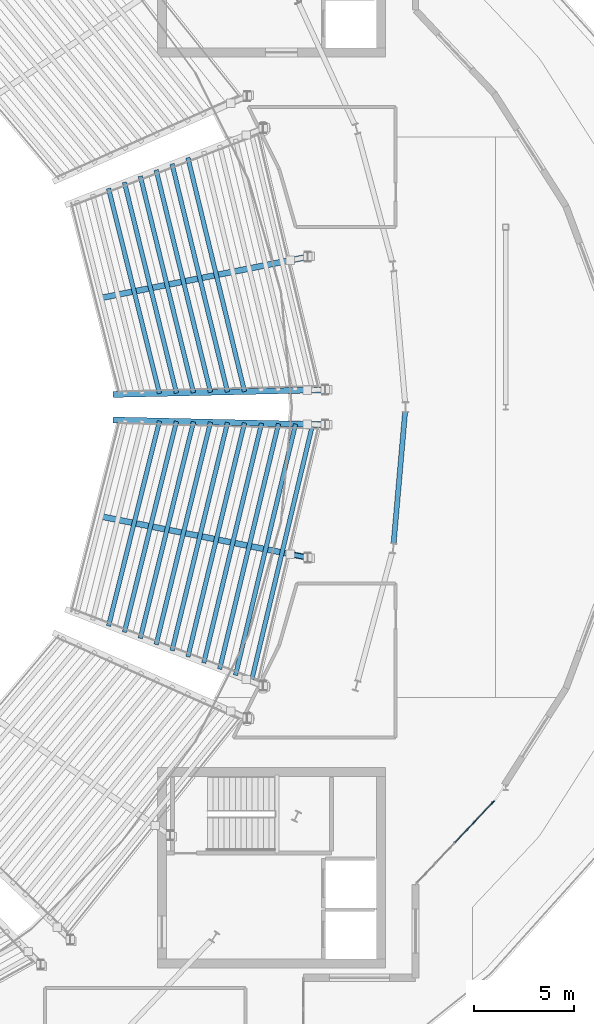
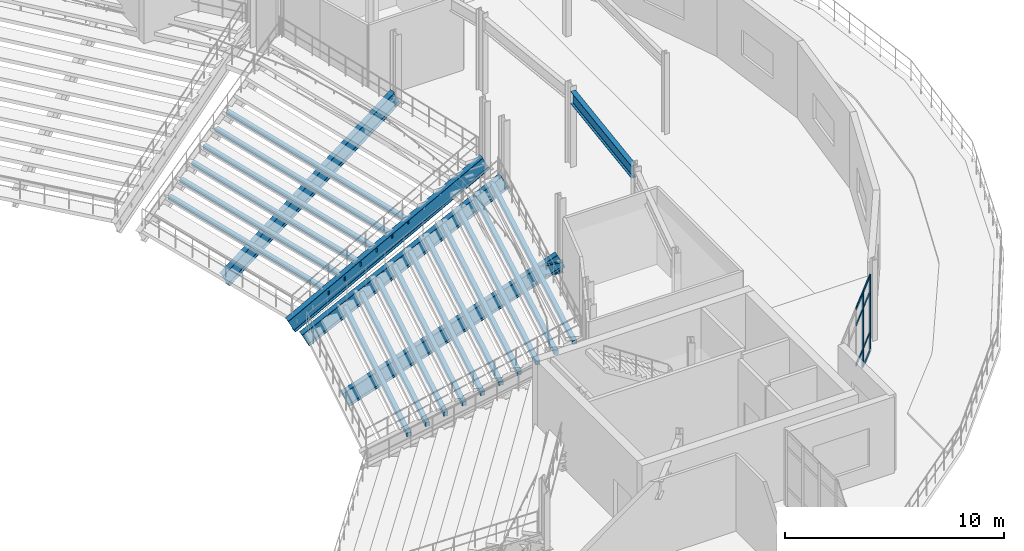
# One storey, part 41 of 81: 22 beams, 9 members, 1 element without a shape of its own.
"""IFC4 building model written with IfcOpenShell, lengths in metres."""

from ifc_helpers import new_model, si_unit, direction, frame, origin, origin_2d, place, context, subcontext, project, spatial, rectangle, i_section, extrude, material, material_profile, profile_set, type_object, element, aggregate, save


model = new_model("IFC4")

# Units and contexts
model_context = context("Model", 3, precision=1e-05, world=origin(), true_north=direction((0.0, 1.0)))
body_context = subcontext(model_context, "Body", "Model", "MODEL_VIEW")
ifc_project = project(units=[si_unit("LENGTHUNIT", "METRE"), si_unit("AREAUNIT", "SQUARE_METRE"), si_unit("VOLUMEUNIT", "CUBIC_METRE"), si_unit("PLANEANGLEUNIT", "RADIAN"), si_unit("MASSUNIT", "GRAM", prefix="KILO")], contexts=[model_context])

# Site, building, storey
site_placement = place(None, origin())
site = spatial("IfcSite", under=ifc_project, at=site_placement, CompositionType="ELEMENT")
building_placement = place(site_placement, origin())
building = spatial("IfcBuilding", under=site, at=building_placement, Name="Glasvene Arena", CompositionType="ELEMENT")
storey_placement = place(building_placement, frame((0.0, 0.0, 15.0)))
storey = spatial("IfcBuildingStorey", under=building, at=storey_placement, Name="L03", CompositionType="ELEMENT", Elevation=15.0)

# Beams
ifc_material_1 = material(Name="Steel S355J2", Category="steel")
ifc_material_profile_1 = material_profile(ifc_material_1, i_section(OverallWidth=0.228271484375, OverallDepth=0.607666015625, WebThickness=0.010986328125, FlangeThickness=0.017333984375, FilletRadius=0.0126953125, at=origin_2d()), Name="UKB 610x229x113")
ifc_profile_set_1 = profile_set([ifc_material_profile_1], Name="Steel S355J2")
beam_type_1 = type_object("IfcBeamType", Name="BM-GIRD-610", PredefinedType="BEAM", material=ifc_profile_set_1)
beam_1_placement = place(storey_placement, frame((136.2333984375, 65.66455078125, 0.544921875), z_axis=(0.980791823058, -0.195057426987, 0.0), x_axis=(0.195057426987, 0.980791823058, 0.0)))
element("IfcBeam", 1, at=beam_1_placement, inside=storey, type_object=beam_type_1, Name="Upper raker rear seat haunch girder RKS-16-2", PredefinedType="BEAM", context=body_context, shape_type="SweptSolid", body=[
    extrude(i_section(OverallWidth=0.228271484375, OverallDepth=0.607666015625, WebThickness=0.010986328125, FlangeThickness=0.017333984375, FilletRadius=0.0126953125, at=origin_2d()), origin(), (0.0, 0.0, 1.0), 1.02001953125),
])
ifc_material_profile_2 = material_profile(ifc_material_1, i_section(OverallWidth=0.253662109375, OverallDepth=0.68359375, WebThickness=0.012451171875, FlangeThickness=0.01904296875, FilletRadius=0.01513671875, at=origin_2d()), Name="UKB 686x254x140")
ifc_profile_set_2 = profile_set([ifc_material_profile_2], Name="Steel S355J2")
beam_type_2 = type_object("IfcBeamType", Name="BM-GIRD-686", PredefinedType="BEAM", material=ifc_profile_set_2)
beam_2_placement = place(storey_placement, frame((141.4052734375, 66.199462890625, 3.908203125), z_axis=(0.087106255104, 0.996199026461, 0.0), x_axis=(-0.996199026461, 0.087106255104, 0.0)))
element("IfcBeam", 2, at=beam_2_placement, inside=storey, type_object=beam_type_2, Name="Bowl ring chord beam L03-40", PredefinedType="BEAM", context=body_context, shape_type="SweptSolid", body=[
    extrude(i_section(OverallWidth=0.253662109375, OverallDepth=0.68359375, WebThickness=0.012451171875, FlangeThickness=0.01904296875, FilletRadius=0.01513671875, at=origin_2d()), origin(), (0.0, 0.0, 1.0), 6.586669921875),
])
ifc_material_profile_3 = material_profile(ifc_material_1, i_section(OverallWidth=0.29248046875, OverallDepth=0.8408203125, WebThickness=0.0146484375, FlangeThickness=0.021728515625, FilletRadius=0.017822265625, at=origin_2d()), Name="UKB 838x292x194")
ifc_profile_set_3 = profile_set([ifc_material_profile_3], Name="Steel S355J2")
beam_type_3 = type_object("IfcBeamType", Name="Upper bowl raker", PredefinedType="USERDEFINED", material=ifc_profile_set_3)
beam_3_placement = place(storey_placement, frame((127.5908203125, 73.637451171875, -4.320068359375), z_axis=(0.889703726308, 0.020201547463, 0.456091193593), x_axis=(-0.022700075691, 0.999742320082, 0.0)))
element("IfcBeam", 3, at=beam_3_placement, inside=storey, type_object=beam_type_3, Name="Upper bowl cantilevered raker beam RKU-01-1", ObjectType="RAKER BEAM", PredefinedType="USERDEFINED", context=body_context, shape_type="SweptSolid", body=[
    extrude(i_section(OverallWidth=0.29248046875, OverallDepth=0.8408203125, WebThickness=0.0146484375, FlangeThickness=0.021728515625, FilletRadius=0.017822265625, at=origin_2d()), origin(), (0.0, 0.0, 1.0), 11.6865234375),
])
for number, where, z_axis, x_axis, name in (
    (4, (126.916015625, 78.48193359375, -4.47998046875), (0.86941665754, 0.172946908588, 0.462821825762), (-0.19510028701, 0.98078329819, 0.0), "Upper bowl cantilevered raker beam RKU-01-2"),
    (5, (126.916015625, 67.51806640625, -4.47998046875), (0.86941665754, -0.172946908588, 0.462821825762), (0.19510028701, 0.98078329819, 0.0), "Upper bowl cantilevered raker beam RKU-16-2"),
):
    element("IfcBeam", number, at=place(storey_placement, frame(where, z_axis=z_axis, x_axis=x_axis)), inside=storey, type_object=beam_type_3, Name=name, ObjectType="RAKER BEAM", PredefinedType="USERDEFINED", context=body_context, shape_type="SweptSolid", body=[
        extrude(i_section(OverallWidth=0.29248046875, OverallDepth=0.8408203125, WebThickness=0.0146484375, FlangeThickness=0.021728515625, FilletRadius=0.017822265625, at=origin_2d()), origin(), (0.0, 0.0, 1.0), 11.732177734375),
    ])
beam_4_placement = place(storey_placement, frame((127.5908203125, 72.362548828125, -4.320068359375), z_axis=(0.889703726308, -0.020201547463, 0.456091193593), x_axis=(0.022700075691, 0.999742320082, 0.0)))
element("IfcBeam", 6, at=beam_4_placement, inside=storey, type_object=beam_type_3, Name="Upper bowl cantilevered raker beam RKU-16-3", ObjectType="RAKER BEAM", PredefinedType="USERDEFINED", context=body_context, shape_type="SweptSolid", body=[
    extrude(i_section(OverallWidth=0.29248046875, OverallDepth=0.8408203125, WebThickness=0.0146484375, FlangeThickness=0.021728515625, FilletRadius=0.017822265625, at=origin_2d()), origin(), (0.0, 0.0, 1.0), 11.6865234375),
])
ifc_material_2 = material(Name="Precast concrete C50/60", Category="concrete")
ifc_material_profile_4 = material_profile(ifc_material_2, rectangle(XDim=0.219970703125, YDim=0.219970703125, at=origin_2d()), Name="RC 220x220")
ifc_profile_set_4 = profile_set([ifc_material_profile_4], Name="Precast concrete C50/60")
beam_type_4 = type_object("IfcBeamType", Name="BM-TIER-BEARER", PredefinedType="BEAM", material=ifc_profile_set_4)
beam_5_placement = place(storey_placement, frame((129.710205078125, 73.685546875, -3.2548828125), z_axis=(-0.240956794223, 0.970535843397, 0.0), x_axis=(-0.970535843397, -0.240956794223, 0.0)))
element("IfcBeam", 7, at=beam_5_placement, inside=storey, type_object=beam_type_4, Name="Upper tier precast row bearer 01-R03", PredefinedType="BEAM", context=body_context, shape_type="SweptSolid", body=[
    extrude(rectangle(XDim=0.219970703125, YDim=0.219970703125, at=origin_2d()), origin(), (0.0, 0.0, 1.0), 10.5537109375),
])
beam_6_placement = place(storey_placement, frame((130.56005859375, 73.704833984375, -2.77490234375), z_axis=(-0.239727787555, 0.970840145376, 0.0), x_axis=(-0.970840145376, -0.239727787555, 0.0)))
element("IfcBeam", 8, at=beam_6_placement, inside=storey, type_object=beam_type_4, Name="Upper tier precast row bearer 01-R04", PredefinedType="BEAM", context=body_context, shape_type="SweptSolid", body=[
    extrude(rectangle(XDim=0.219970703125, YDim=0.219970703125, at=origin_2d()), origin(), (0.0, 0.0, 1.0), 10.84716796875),
])
beam_7_placement = place(storey_placement, frame((131.409912109375, 73.72412109375, -2.294921875), z_axis=(-0.238558093097, 0.971128228515, 0.0), x_axis=(-0.971128228515, -0.238558093097, 0.0)))
element("IfcBeam", 9, at=beam_7_placement, inside=storey, type_object=beam_type_4, Name="Upper tier precast row bearer 01-R05", PredefinedType="BEAM", context=body_context, shape_type="SweptSolid", body=[
    extrude(rectangle(XDim=0.219970703125, YDim=0.219970703125, at=origin_2d()), origin(), (0.0, 0.0, 1.0), 11.140625),
])
beam_8_placement = place(storey_placement, frame((132.259521484375, 73.743408203125, -1.81494140625), z_axis=(-0.237437867214, 0.971402727612, 0.0), x_axis=(-0.971402727612, -0.237437867214, 0.0)))
element("IfcBeam", 10, at=beam_8_placement, inside=storey, type_object=beam_type_4, Name="Upper tier precast row bearer 01-R06", PredefinedType="BEAM", context=body_context, shape_type="SweptSolid", body=[
    extrude(rectangle(XDim=0.219970703125, YDim=0.219970703125, at=origin_2d()), origin(), (0.0, 0.0, 1.0), 11.433837890625),
])
beam_9_placement = place(storey_placement, frame((133.109375, 73.7626953125, -1.3349609375), z_axis=(-0.236388232992, 0.97165868663, 0.0), x_axis=(-0.97165868663, -0.236388232992, 0.0)))
element("IfcBeam", 11, at=beam_9_placement, inside=storey, type_object=beam_type_4, Name="Upper tier precast row bearer 01-R07", PredefinedType="BEAM", context=body_context, shape_type="SweptSolid", body=[
    extrude(rectangle(XDim=0.219970703125, YDim=0.219970703125, at=origin_2d()), origin(), (0.0, 0.0, 1.0), 11.727294921875),
])
beam_10_placement = place(storey_placement, frame((133.959228515625, 73.781982421875, -0.85498046875), z_axis=(-0.235389595247, 0.971901094993, 0.0), x_axis=(-0.971901094993, -0.235389595247, 0.0)))
element("IfcBeam", 12, at=beam_10_placement, inside=storey, type_object=beam_type_4, Name="Upper tier precast row bearer 01-R08", PredefinedType="BEAM", context=body_context, shape_type="SweptSolid", body=[
    extrude(rectangle(XDim=0.219970703125, YDim=0.219970703125, at=origin_2d()), origin(), (0.0, 0.0, 1.0), 12.02099609375),
])
beam_11_placement = place(storey_placement, frame((127.167236328125, 62.07177734375, -3.2548828125), z_axis=(0.240956794223, 0.970535843397, 0.0), x_axis=(-0.970535843397, 0.240956794223, 0.0)))
element("IfcBeam", 13, at=beam_11_placement, inside=storey, type_object=beam_type_4, Name="Upper tier precast row bearer 16-R03", PredefinedType="BEAM", context=body_context, shape_type="SweptSolid", body=[
    extrude(rectangle(XDim=0.219970703125, YDim=0.219970703125, at=origin_2d()), origin(), (0.0, 0.0, 1.0), 10.5537109375),
])
beam_12_placement = place(storey_placement, frame((127.959716796875, 61.764404296875, -2.77490234375), z_axis=(0.239727787555, 0.970840145376, 0.0), x_axis=(-0.970840145376, 0.239727787555, 0.0)))
element("IfcBeam", 14, at=beam_12_placement, inside=storey, type_object=beam_type_4, Name="Upper tier precast row bearer 16-R04", PredefinedType="BEAM", context=body_context, shape_type="SweptSolid", body=[
    extrude(rectangle(XDim=0.219970703125, YDim=0.219970703125, at=origin_2d()), origin(), (0.0, 0.0, 1.0), 10.84716796875),
])
beam_13_placement = place(storey_placement, frame((128.752197265625, 61.456787109375, -2.294921875), z_axis=(0.238558093097, 0.971128228515, 0.0), x_axis=(-0.971128228515, 0.238558093097, 0.0)))
element("IfcBeam", 15, at=beam_13_placement, inside=storey, type_object=beam_type_4, Name="Upper tier precast row bearer 16-R05", PredefinedType="BEAM", context=body_context, shape_type="SweptSolid", body=[
    extrude(rectangle(XDim=0.219970703125, YDim=0.219970703125, at=origin_2d()), origin(), (0.0, 0.0, 1.0), 11.140625),
])
beam_14_placement = place(storey_placement, frame((129.544677734375, 61.149658203125, -1.81494140625), z_axis=(0.237437867214, 0.971402727612, 0.0), x_axis=(-0.971402727612, 0.237437867214, 0.0)))
element("IfcBeam", 16, at=beam_14_placement, inside=storey, type_object=beam_type_4, Name="Upper tier precast row bearer 16-R06", PredefinedType="BEAM", context=body_context, shape_type="SweptSolid", body=[
    extrude(rectangle(XDim=0.219970703125, YDim=0.219970703125, at=origin_2d()), origin(), (0.0, 0.0, 1.0), 11.433837890625),
])
beam_15_placement = place(storey_placement, frame((130.337158203125, 60.84228515625, -1.3349609375), z_axis=(0.236388232992, 0.97165868663, 0.0), x_axis=(-0.97165868663, 0.236388232992, 0.0)))
element("IfcBeam", 17, at=beam_15_placement, inside=storey, type_object=beam_type_4, Name="Upper tier precast row bearer 16-R07", PredefinedType="BEAM", context=body_context, shape_type="SweptSolid", body=[
    extrude(rectangle(XDim=0.219970703125, YDim=0.219970703125, at=origin_2d()), origin(), (0.0, 0.0, 1.0), 11.727294921875),
])
beam_16_placement = place(storey_placement, frame((131.129638671875, 60.534912109375, -0.85498046875), z_axis=(0.235389595247, 0.971901094993, 0.0), x_axis=(-0.971901094993, 0.235389595247, 0.0)))
element("IfcBeam", 18, at=beam_16_placement, inside=storey, type_object=beam_type_4, Name="Upper tier precast row bearer 16-R08", PredefinedType="BEAM", context=body_context, shape_type="SweptSolid", body=[
    extrude(rectangle(XDim=0.219970703125, YDim=0.219970703125, at=origin_2d()), origin(), (0.0, 0.0, 1.0), 12.02099609375),
])
beam_17_placement = place(storey_placement, frame((131.922119140625, 60.227294921875, -0.375), z_axis=(0.234433810383, 0.972132083901, 0.0), x_axis=(-0.972132083901, 0.234433810383, 0.0)))
element("IfcBeam", 19, at=beam_17_placement, inside=storey, type_object=beam_type_4, Name="Upper tier precast row bearer 16-R09", PredefinedType="BEAM", context=body_context, shape_type="SweptSolid", body=[
    extrude(rectangle(XDim=0.219970703125, YDim=0.219970703125, at=origin_2d()), origin(), (0.0, 0.0, 1.0), 12.314697265625),
])
beam_18_placement = place(storey_placement, frame((132.714599609375, 59.919921875, 0.10498046875), z_axis=(0.233508438438, 0.972354775367, 0.0), x_axis=(-0.972354775367, 0.233508438438, 0.0)))
element("IfcBeam", 20, at=beam_18_placement, inside=storey, type_object=beam_type_4, Name="Upper tier precast row bearer 16-R10", PredefinedType="BEAM", context=body_context, shape_type="SweptSolid", body=[
    extrude(rectangle(XDim=0.219970703125, YDim=0.219970703125, at=origin_2d()), origin(), (0.0, 0.0, 1.0), 12.608154296875),
])
beam_19_placement = place(storey_placement, frame((133.507080078125, 59.61279296875, 0.5849609375), z_axis=(0.232647147532, 0.97256120874, 0.0), x_axis=(-0.97256120874, 0.232647147532, 0.0)))
element("IfcBeam", 21, at=beam_19_placement, inside=storey, type_object=beam_type_4, Name="Upper tier precast row bearer 16-R11", PredefinedType="BEAM", context=body_context, shape_type="SweptSolid", body=[
    extrude(rectangle(XDim=0.219970703125, YDim=0.219970703125, at=origin_2d()), origin(), (0.0, 0.0, 1.0), 12.9013671875),
])
beam_20_placement = place(storey_placement, frame((134.299560546875, 59.305419921875, 1.06494140625), z_axis=(0.231819803221, 0.97275874647, 0.0), x_axis=(-0.97275874647, 0.231819803221, 0.0)))
element("IfcBeam", 22, at=beam_20_placement, inside=storey, type_object=beam_type_4, Name="Upper tier precast row bearer 16-R12", PredefinedType="BEAM", context=body_context, shape_type="SweptSolid", body=[
    extrude(rectangle(XDim=0.219970703125, YDim=0.219970703125, at=origin_2d()), origin(), (0.0, 0.0, 1.0), 13.19482421875),
])

# Curtain wall, members
ifc_material_3 = material(Name="Low-emissivity laminated double glazing", Category="glass")
curtain_wall_type = type_object("IfcCurtainWallType", Name="CW-FAC-L03-563x419", PredefinedType="USERDEFINED", material=ifc_material_3)
curtain_wall_placement = place(storey_placement, frame((146.388427734375, 53.2880859375, 0.0)))
curtain_wall = element("IfcCurtainWall", 23, at=curtain_wall_placement, inside=storey, type_object=curtain_wall_type, Name="Unitised curtain wall CW-F-L03-180-1445-512-43", ObjectType="CURTAIN WALL", PredefinedType="USERDEFINED")
ifc_material_4 = material(Name="Anodised architectural aluminium", Category="aluminium")
ifc_material_profile_5 = material_profile(ifc_material_4, rectangle(XDim=0.050048828125, YDim=0.199951171875, at=origin_2d()), Name="ALU MULLION 50x200")
ifc_profile_set_5 = profile_set([ifc_material_profile_5], Name="Anodised architectural aluminium")
member_type_1 = type_object("IfcMemberType", Name="CW-MUL-180", PredefinedType="MULLION", material=ifc_profile_set_5)
member_1_placement = place(storey_placement, frame((146.371337890625, 53.269775390625, 0.06005859375), z_axis=(0.0, 0.0, 1.0), x_axis=(0.727463943497, -0.686145910803, 0.0)))
member_1 = element("IfcMember", 24, at=member_1_placement, type_object=member_type_1, Name="CW-039 mullion 1", PredefinedType="MULLION", context=body_context, shape_type="SweptSolid", body=[
    extrude(rectangle(XDim=0.050048828125, YDim=0.199951171875, at=origin_2d()), origin(), (0.0, 0.0, 1.0), 4.18994140625),
])
member_2_placement = place(storey_placement, frame((145.423095703125, 52.2646484375, 0.06005859375), z_axis=(0.0, 0.0, 1.0), x_axis=(0.727463943497, -0.686145910803, 0.0)))
member_2 = element("IfcMember", 25, at=member_2_placement, type_object=member_type_1, Name="CW-039 mullion 2", PredefinedType="MULLION", context=body_context, shape_type="SweptSolid", body=[
    extrude(rectangle(XDim=0.050048828125, YDim=0.199951171875, at=origin_2d()), origin(), (0.0, 0.0, 1.0), 4.18994140625),
])
ifc_material_profile_6 = material_profile(ifc_material_4, rectangle(XDim=0.050048828125, YDim=0.1201171875, at=origin_2d()), Name="ALU TRANSOM 50x120")
ifc_profile_set_6 = profile_set([ifc_material_profile_6], Name="Anodised architectural aluminium")
member_type_2 = type_object("IfcMemberType", Name="CW-TRN-120", PredefinedType="USERDEFINED", material=ifc_profile_set_6)
member_3_placement = place(storey_placement, frame((146.35400390625, 53.251708984375, 0.0849609375), z_axis=(-0.686090493839, -0.727516208936, 0.0), x_axis=(0.727516208936, -0.686090493839, 0.0)))
member_3 = element("IfcMember", 26, at=member_3_placement, type_object=member_type_2, Name="CW-039 transom 1.1", ObjectType="TRANSOM", PredefinedType="USERDEFINED", context=body_context, shape_type="SweptSolid", body=[
    extrude(rectangle(XDim=0.050048828125, YDim=0.1201171875, at=origin_2d()), origin(), (0.0, 0.0, 1.0), 1.33203125),
])
member_4_placement = place(storey_placement, frame((146.35400390625, 53.251708984375, 1.10009765625), z_axis=(-0.686090493839, -0.727516208936, 0.0), x_axis=(0.727516208936, -0.686090493839, 0.0)))
member_4 = element("IfcMember", 27, at=member_4_placement, type_object=member_type_2, Name="CW-039 transom 1.2", ObjectType="TRANSOM", PredefinedType="USERDEFINED", context=body_context, shape_type="SweptSolid", body=[
    extrude(rectangle(XDim=0.050048828125, YDim=0.1201171875, at=origin_2d()), origin(), (0.0, 0.0, 1.0), 1.33203125),
])
member_5_placement = place(storey_placement, frame((146.35400390625, 53.251708984375, 3.35009765625), z_axis=(-0.686090493839, -0.727516208936, 0.0), x_axis=(0.727516208936, -0.686090493839, 0.0)))
member_5 = element("IfcMember", 28, at=member_5_placement, type_object=member_type_2, Name="CW-039 transom 1.3", ObjectType="TRANSOM", PredefinedType="USERDEFINED", context=body_context, shape_type="SweptSolid", body=[
    extrude(rectangle(XDim=0.050048828125, YDim=0.1201171875, at=origin_2d()), origin(), (0.0, 0.0, 1.0), 1.33203125),
])
member_6_placement = place(storey_placement, frame((146.35400390625, 53.251708984375, 4.22509765625), z_axis=(-0.686090493839, -0.727516208936, 0.0), x_axis=(0.727516208936, -0.686090493839, 0.0)))
member_6 = element("IfcMember", 29, at=member_6_placement, type_object=member_type_2, Name="CW-039 transom 1.4", ObjectType="TRANSOM", PredefinedType="USERDEFINED", context=body_context, shape_type="SweptSolid", body=[
    extrude(rectangle(XDim=0.050048828125, YDim=0.1201171875, at=origin_2d()), origin(), (0.0, 0.0, 1.0), 1.33203125),
])
member_7_placement = place(storey_placement, frame((145.406005859375, 52.246337890625, 1.10009765625), z_axis=(-0.686200664221, -0.727412296035, 0.0), x_axis=(0.727412296035, -0.686200664221, 0.0)))
member_7 = element("IfcMember", 30, at=member_7_placement, type_object=member_type_2, Name="CW-039 transom 2.2", ObjectType="TRANSOM", PredefinedType="USERDEFINED", context=body_context, shape_type="SweptSolid", body=[
    extrude(rectangle(XDim=0.050048828125, YDim=0.1201171875, at=origin_2d()), origin(), (0.0, 0.0, 1.0), 1.356689453125),
])
member_8_placement = place(storey_placement, frame((145.406005859375, 52.246337890625, 3.35009765625), z_axis=(-0.686200664221, -0.727412296035, 0.0), x_axis=(0.727412296035, -0.686200664221, 0.0)))
member_8 = element("IfcMember", 31, at=member_8_placement, type_object=member_type_2, Name="CW-039 transom 2.3", ObjectType="TRANSOM", PredefinedType="USERDEFINED", context=body_context, shape_type="SweptSolid", body=[
    extrude(rectangle(XDim=0.050048828125, YDim=0.1201171875, at=origin_2d()), origin(), (0.0, 0.0, 1.0), 1.356689453125),
])
member_9_placement = place(storey_placement, frame((145.406005859375, 52.246337890625, 4.22509765625), z_axis=(-0.686200664221, -0.727412296035, 0.0), x_axis=(0.727412296035, -0.686200664221, 0.0)))
member_9 = element("IfcMember", 32, at=member_9_placement, type_object=member_type_2, Name="CW-039 transom 2.4", ObjectType="TRANSOM", PredefinedType="USERDEFINED", context=body_context, shape_type="SweptSolid", body=[
    extrude(rectangle(XDim=0.050048828125, YDim=0.1201171875, at=origin_2d()), origin(), (0.0, 0.0, 1.0), 1.356689453125),
])
aggregate(curtain_wall, [member_1, member_2, member_3, member_4, member_5, member_6, member_7, member_8, member_9])

save(model, "model.ifc")
